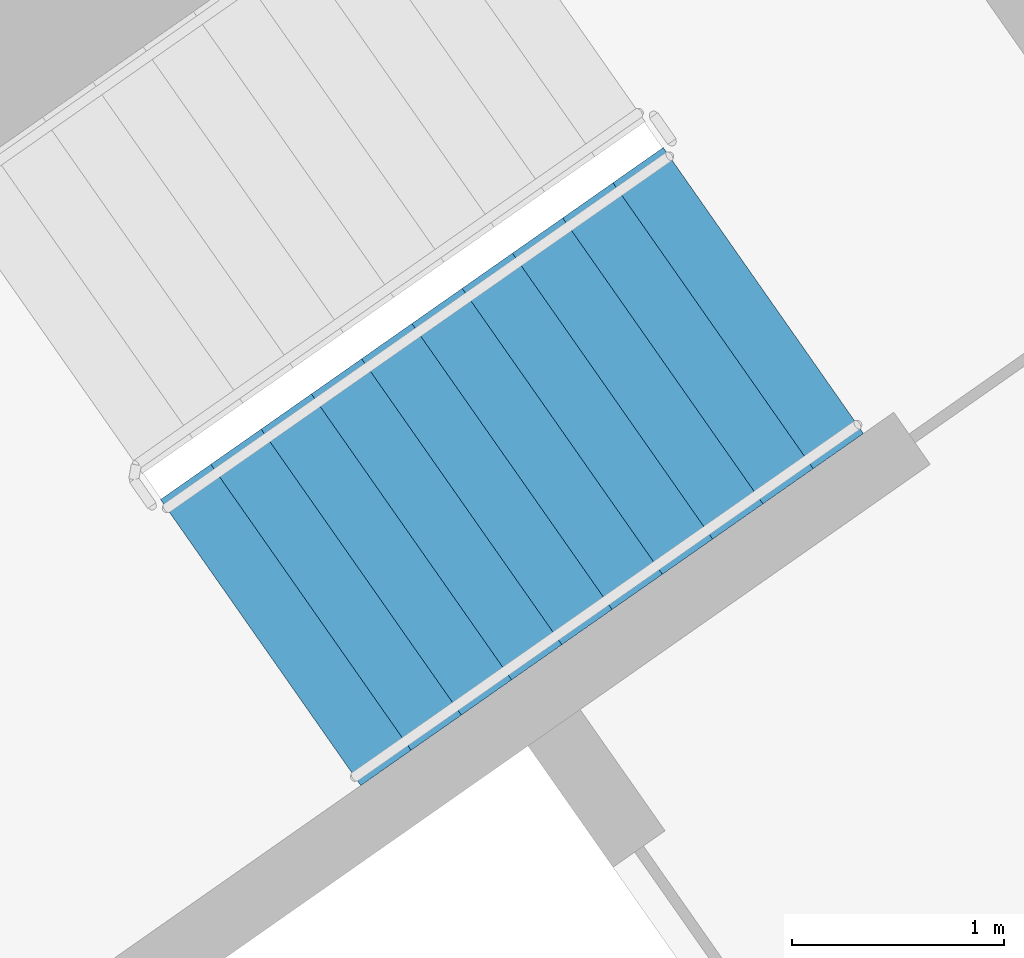
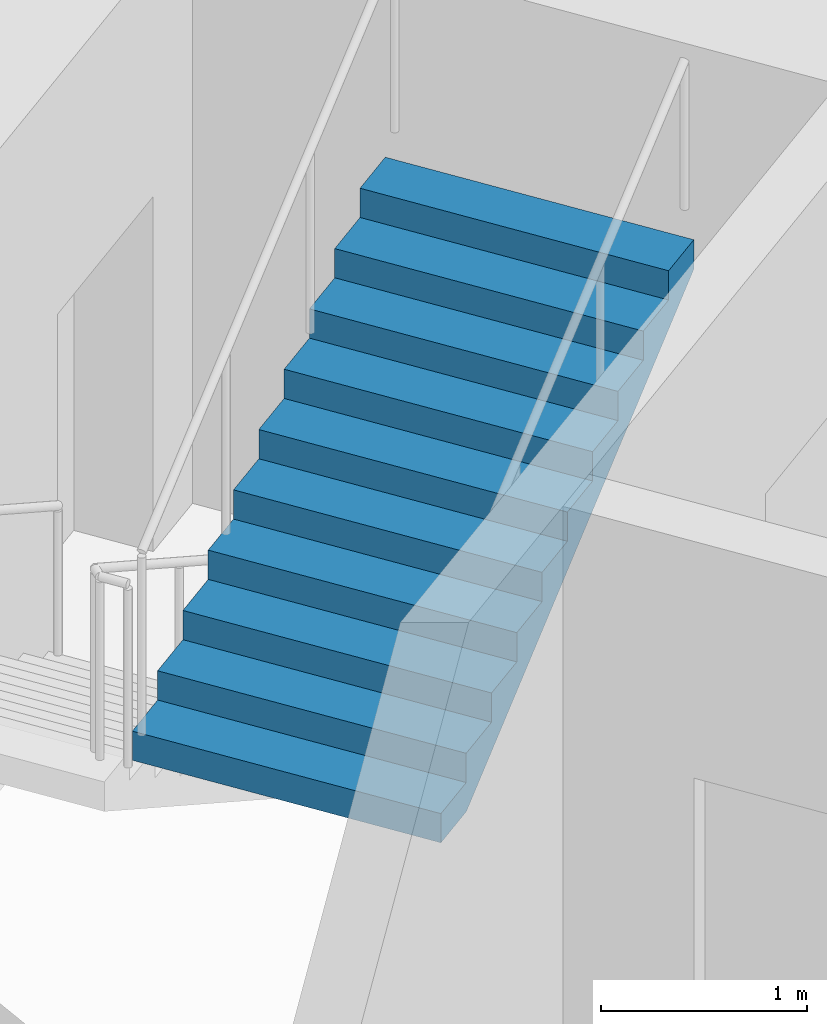
# One storey, part 14 of 29: 1 stair flight, 1 element without a shape of its own.
"""IFC4 building model written with IfcOpenShell, lengths in metres."""

from ifc_helpers import new_model, si_unit, direction, frame, origin, place, context, subcontext, project, spatial, faceted_brep, material, type_object, element, aggregate, save


model = new_model("IFC4")

# Units and contexts
model_context = context("Model", 3, precision=1e-05, world=origin(), true_north=direction((0.0, 1.0)))
body_context = subcontext(model_context, "Body", "Model", "MODEL_VIEW")
ifc_project = project(units=[si_unit("LENGTHUNIT", "METRE"), si_unit("AREAUNIT", "SQUARE_METRE"), si_unit("VOLUMEUNIT", "CUBIC_METRE"), si_unit("PLANEANGLEUNIT", "RADIAN"), si_unit("MASSUNIT", "GRAM", prefix="KILO")], contexts=[model_context])

# Site, building, storey
site_placement = place(None, origin())
site = spatial("IfcSite", under=ifc_project, at=site_placement, CompositionType="ELEMENT")
building_placement = place(site_placement, origin())
building = spatial("IfcBuilding", under=site, at=building_placement, Name="Qamariyya Broadcast Tower", CompositionType="ELEMENT")
storey_placement = place(building_placement, frame((0.0, 0.0, 113.89990234375)))
storey = spatial("IfcBuildingStorey", under=building, at=storey_placement, Name="L25", CompositionType="ELEMENT", Elevation=113.89990234375)

# Stair, stair flight
ifc_material = material(Name="Concrete C50/60", Category="concrete")
stair_type = type_object("IfcStairType", Name="Exit stair 22 risers of 173 mm", PredefinedType="HALF_TURN_STAIR", material=ifc_material)
stair_placement = place(storey_placement, origin())
stair = element("IfcStair", 1, at=stair_placement, inside=storey, type_object=stair_type, Name="L25 Stair E2", PredefinedType="HALF_TURN_STAIR")
stair_flight_type = type_object("IfcStairFlightType", Name="Exit stair flight 11 risers of 173 mm", PredefinedType="STRAIGHT", material=ifc_material)
stair_flight_placement = place(storey_placement, frame((39.215576171875, -50.822998046875, 1.900146484375), z_axis=(0.0, 0.0, 1.0), x_axis=(0.819152044289, 0.573576436351, 0.0)))
stair_flight = element("IfcStairFlight", 2, at=stair_flight_placement, type_object=stair_flight_type, Name="ST-E2 flight 2", NumberOfRisers=11, NumberOfTreads=10, PredefinedType="STRAIGHT", RiserHeight=0.172727273, TreadLength=0.29, context=body_context, shape_type="Brep", body=[
    faceted_brep([(0.0, 0.824951171875, 0.0), (0.0, 0.824951171875, 0.172607421875), (0.2900390625, 0.824951171875, 0.172607421875), (0.2900390625, 0.824951171875, 0.345458984375), (0.580078125, 0.824951171875, 0.345458984375), (0.580078125, 0.824951171875, 0.51806640625), (0.8701171875, 0.824951171875, 0.51806640625), (0.8701171875, 0.824951171875, 0.69091796875), (1.159912109375, 0.824951171875, 0.69091796875), (1.159912109375, 0.824951171875, 0.863525390625), (1.449951171875, 0.824951171875, 0.863525390625), (1.449951171875, 0.824951171875, 1.036376953125), (1.739990234375, 0.824951171875, 1.036376953125), (1.739990234375, 0.824951171875, 1.208984375), (2.030029296875, 0.824951171875, 1.208984375), (2.030029296875, 0.824951171875, 1.3818359375), (2.320068359375, 0.824951171875, 1.3818359375), (2.320068359375, 0.824951171875, 1.554443359375), (2.610107421875, 0.824951171875, 1.554443359375), (2.610107421875, 0.824951171875, 1.727294921875), (2.89990234375, 0.824951171875, 1.727294921875), (2.89990234375, 0.824951171875, 1.552734375), (0.29296875, 0.824951171875, 0.0), (0.29296875, -0.824951171875, 0.0), (2.89990234375, -0.824951171875, 1.552734375), (2.89990234375, -0.824951171875, 1.727294921875), (2.610107421875, -0.824951171875, 1.727294921875), (2.610107421875, -0.824951171875, 1.554443359375), (2.320068359375, -0.824951171875, 1.554443359375), (2.320068359375, -0.824951171875, 1.3818359375), (2.030029296875, -0.824951171875, 1.3818359375), (2.030029296875, -0.824951171875, 1.208984375), (1.739990234375, -0.824951171875, 1.208984375), (1.739990234375, -0.824951171875, 1.036376953125), (1.449951171875, -0.824951171875, 1.036376953125), (1.449951171875, -0.824951171875, 0.863525390625), (1.159912109375, -0.824951171875, 0.863525390625), (1.159912109375, -0.824951171875, 0.69091796875), (0.8701171875, -0.824951171875, 0.69091796875), (0.8701171875, -0.824951171875, 0.51806640625), (0.580078125, -0.824951171875, 0.51806640625), (0.580078125, -0.824951171875, 0.345458984375), (0.2900390625, -0.824951171875, 0.345458984375), (0.2900390625, -0.824951171875, 0.172607421875), (0.0, -0.824951171875, 0.172607421875), (0.0, -0.824951171875, 0.0), (0.0, 0.10009765625, 0.0), (0.0, 0.086669921875, 0.0), (0.0, 0.0732421875, 0.0), (0.0, 0.06005859375, 0.0), (0.0, 0.046630859375, 0.0), (0.0, 0.033447265625, 0.0), (0.0, 0.02001953125, 0.0), (0.0, 0.006591796875, 0.0), (0.0, -0.006591796875, 0.0), (0.0, -0.02001953125, 0.0), (0.0, -0.033447265625, 0.0), (0.0, -0.046630859375, 0.0), (0.0, -0.06005859375, 0.0), (0.0, -0.0732421875, 0.0), (0.0, -0.086669921875, 0.0), (0.0, -0.10009765625, 0.0), (0.0, -0.10009765625, 0.172607421875), (0.0, -0.086669921875, 0.172607421875), (0.0, -0.0732421875, 0.172607421875), (0.0, -0.06005859375, 0.172607421875), (0.0, -0.046630859375, 0.172607421875), (0.0, -0.033447265625, 0.172607421875), (0.0, -0.02001953125, 0.172607421875), (0.0, -0.006591796875, 0.172607421875), (0.0, 0.006591796875, 0.172607421875), (0.0, 0.02001953125, 0.172607421875), (0.0, 0.033447265625, 0.172607421875), (0.0, 0.046630859375, 0.172607421875), (0.0, 0.06005859375, 0.172607421875), (0.0, 0.0732421875, 0.172607421875), (0.0, 0.086669921875, 0.172607421875), (0.0, 0.10009765625, 0.172607421875), (0.2900390625, -0.10009765625, 0.172607421875), (0.2900390625, -0.086669921875, 0.172607421875), (0.2900390625, -0.0732421875, 0.172607421875), (0.2900390625, -0.06005859375, 0.172607421875), (0.2900390625, -0.046630859375, 0.172607421875), (0.2900390625, -0.033447265625, 0.172607421875), (0.2900390625, -0.02001953125, 0.172607421875), (0.2900390625, -0.006591796875, 0.172607421875), (0.2900390625, 0.006591796875, 0.172607421875), (0.2900390625, 0.02001953125, 0.172607421875), (0.2900390625, 0.033447265625, 0.172607421875), (0.2900390625, 0.046630859375, 0.172607421875), (0.2900390625, 0.06005859375, 0.172607421875), (0.2900390625, 0.0732421875, 0.172607421875), (0.2900390625, 0.086669921875, 0.172607421875), (0.2900390625, 0.10009765625, 0.172607421875), (0.2900390625, -0.10009765625, 0.345458984375), (0.2900390625, -0.086669921875, 0.345458984375), (0.2900390625, -0.0732421875, 0.345458984375), (0.2900390625, -0.06005859375, 0.345458984375), (0.2900390625, -0.046630859375, 0.345458984375), (0.2900390625, -0.033447265625, 0.345458984375), (0.2900390625, -0.02001953125, 0.345458984375), (0.2900390625, -0.006591796875, 0.345458984375), (0.2900390625, 0.006591796875, 0.345458984375), (0.2900390625, 0.02001953125, 0.345458984375), (0.2900390625, 0.033447265625, 0.345458984375), (0.2900390625, 0.046630859375, 0.345458984375), (0.2900390625, 0.06005859375, 0.345458984375), (0.2900390625, 0.0732421875, 0.345458984375), (0.2900390625, 0.086669921875, 0.345458984375), (0.2900390625, 0.10009765625, 0.345458984375), (0.580078125, -0.10009765625, 0.345458984375), (0.580078125, -0.086669921875, 0.345458984375), (0.580078125, -0.0732421875, 0.345458984375), (0.580078125, -0.06005859375, 0.345458984375), (0.580078125, -0.046630859375, 0.345458984375), (0.580078125, -0.033447265625, 0.345458984375), (0.580078125, -0.02001953125, 0.345458984375), (0.580078125, -0.006591796875, 0.345458984375), (0.580078125, 0.006591796875, 0.345458984375), (0.580078125, 0.02001953125, 0.345458984375), (0.580078125, 0.033447265625, 0.345458984375), (0.580078125, 0.046630859375, 0.345458984375), (0.580078125, 0.06005859375, 0.345458984375), (0.580078125, 0.0732421875, 0.345458984375), (0.580078125, 0.086669921875, 0.345458984375), (0.580078125, 0.10009765625, 0.345458984375), (0.580078125, -0.10009765625, 0.51806640625), (0.580078125, -0.086669921875, 0.51806640625), (0.580078125, -0.0732421875, 0.51806640625), (0.580078125, -0.06005859375, 0.51806640625), (0.580078125, -0.046630859375, 0.51806640625), (0.580078125, -0.033447265625, 0.51806640625), (0.580078125, -0.02001953125, 0.51806640625), (0.580078125, -0.006591796875, 0.51806640625), (0.580078125, 0.006591796875, 0.51806640625), (0.580078125, 0.02001953125, 0.51806640625), (0.580078125, 0.033447265625, 0.51806640625), (0.580078125, 0.046630859375, 0.51806640625), (0.580078125, 0.06005859375, 0.51806640625), (0.580078125, 0.0732421875, 0.51806640625), (0.580078125, 0.086669921875, 0.51806640625), (0.580078125, 0.10009765625, 0.51806640625), (0.8701171875, -0.10009765625, 0.51806640625), (0.8701171875, -0.086669921875, 0.51806640625), (0.8701171875, -0.0732421875, 0.51806640625), (0.8701171875, -0.06005859375, 0.51806640625), (0.8701171875, -0.046630859375, 0.51806640625), (0.8701171875, -0.033447265625, 0.51806640625), (0.8701171875, -0.02001953125, 0.51806640625), (0.8701171875, -0.006591796875, 0.51806640625), (0.8701171875, 0.006591796875, 0.51806640625), (0.8701171875, 0.02001953125, 0.51806640625), (0.8701171875, 0.033447265625, 0.51806640625), (0.8701171875, 0.046630859375, 0.51806640625), (0.8701171875, 0.06005859375, 0.51806640625), (0.8701171875, 0.0732421875, 0.51806640625), (0.8701171875, 0.086669921875, 0.51806640625), (0.8701171875, 0.10009765625, 0.51806640625), (0.8701171875, -0.10009765625, 0.69091796875), (0.8701171875, -0.086669921875, 0.69091796875), (0.8701171875, -0.0732421875, 0.69091796875), (0.8701171875, -0.06005859375, 0.69091796875), (0.8701171875, -0.046630859375, 0.69091796875), (0.8701171875, -0.033447265625, 0.69091796875), (0.8701171875, -0.02001953125, 0.69091796875), (0.8701171875, -0.006591796875, 0.69091796875), (0.8701171875, 0.006591796875, 0.69091796875), (0.8701171875, 0.02001953125, 0.69091796875), (0.8701171875, 0.033447265625, 0.69091796875), (0.8701171875, 0.046630859375, 0.69091796875), (0.8701171875, 0.06005859375, 0.69091796875), (0.8701171875, 0.0732421875, 0.69091796875), (0.8701171875, 0.086669921875, 0.69091796875), (0.8701171875, 0.10009765625, 0.69091796875), (1.159912109375, -0.10009765625, 0.69091796875), (1.159912109375, -0.086669921875, 0.69091796875), (1.159912109375, -0.0732421875, 0.69091796875), (1.159912109375, -0.06005859375, 0.69091796875), (1.159912109375, -0.046630859375, 0.69091796875), (1.159912109375, -0.033447265625, 0.69091796875), (1.159912109375, -0.02001953125, 0.69091796875), (1.159912109375, -0.006591796875, 0.69091796875), (1.159912109375, 0.006591796875, 0.69091796875), (1.159912109375, 0.02001953125, 0.69091796875), (1.159912109375, 0.033447265625, 0.69091796875), (1.159912109375, 0.046630859375, 0.69091796875), (1.159912109375, 0.06005859375, 0.69091796875), (1.159912109375, 0.0732421875, 0.69091796875), (1.159912109375, 0.086669921875, 0.69091796875), (1.159912109375, 0.10009765625, 0.69091796875), (1.159912109375, -0.10009765625, 0.863525390625), (1.159912109375, -0.086669921875, 0.863525390625), (1.159912109375, -0.0732421875, 0.863525390625), (1.159912109375, -0.06005859375, 0.863525390625), (1.159912109375, -0.046630859375, 0.863525390625), (1.159912109375, -0.033447265625, 0.863525390625), (1.159912109375, -0.02001953125, 0.863525390625), (1.159912109375, -0.006591796875, 0.863525390625), (1.159912109375, 0.006591796875, 0.863525390625), (1.159912109375, 0.02001953125, 0.863525390625), (1.159912109375, 0.033447265625, 0.863525390625), (1.159912109375, 0.046630859375, 0.863525390625), (1.159912109375, 0.06005859375, 0.863525390625), (1.159912109375, 0.0732421875, 0.863525390625), (1.159912109375, 0.086669921875, 0.863525390625), (1.159912109375, 0.10009765625, 0.863525390625), (1.449951171875, -0.10009765625, 0.863525390625), (1.449951171875, -0.086669921875, 0.863525390625), (1.449951171875, -0.0732421875, 0.863525390625), (1.449951171875, -0.06005859375, 0.863525390625), (1.449951171875, -0.046630859375, 0.863525390625), (1.449951171875, -0.033447265625, 0.863525390625), (1.449951171875, -0.02001953125, 0.863525390625), (1.449951171875, -0.006591796875, 0.863525390625), (1.449951171875, 0.006591796875, 0.863525390625), (1.449951171875, 0.02001953125, 0.863525390625), (1.449951171875, 0.033447265625, 0.863525390625), (1.449951171875, 0.046630859375, 0.863525390625), (1.449951171875, 0.06005859375, 0.863525390625), (1.449951171875, 0.0732421875, 0.863525390625), (1.449951171875, 0.086669921875, 0.863525390625), (1.449951171875, 0.10009765625, 0.863525390625), (1.449951171875, -0.10009765625, 1.036376953125), (1.449951171875, -0.086669921875, 1.036376953125), (1.449951171875, -0.0732421875, 1.036376953125), (1.449951171875, -0.06005859375, 1.036376953125), (1.449951171875, -0.046630859375, 1.036376953125), (1.449951171875, -0.033447265625, 1.036376953125), (1.449951171875, -0.02001953125, 1.036376953125), (1.449951171875, -0.006591796875, 1.036376953125), (1.449951171875, 0.006591796875, 1.036376953125), (1.449951171875, 0.02001953125, 1.036376953125), (1.449951171875, 0.033447265625, 1.036376953125), (1.449951171875, 0.046630859375, 1.036376953125), (1.449951171875, 0.06005859375, 1.036376953125), (1.449951171875, 0.0732421875, 1.036376953125), (1.449951171875, 0.086669921875, 1.036376953125), (1.449951171875, 0.10009765625, 1.036376953125), (1.739990234375, -0.10009765625, 1.036376953125), (1.739990234375, -0.086669921875, 1.036376953125), (1.739990234375, -0.0732421875, 1.036376953125), (1.739990234375, -0.06005859375, 1.036376953125), (1.739990234375, -0.046630859375, 1.036376953125), (1.739990234375, -0.033447265625, 1.036376953125), (1.739990234375, -0.02001953125, 1.036376953125), (1.739990234375, -0.006591796875, 1.036376953125), (1.739990234375, 0.006591796875, 1.036376953125), (1.739990234375, 0.02001953125, 1.036376953125), (1.739990234375, 0.033447265625, 1.036376953125), (1.739990234375, 0.046630859375, 1.036376953125), (1.739990234375, 0.06005859375, 1.036376953125), (1.739990234375, 0.0732421875, 1.036376953125), (1.739990234375, 0.086669921875, 1.036376953125), (1.739990234375, 0.10009765625, 1.036376953125), (1.739990234375, -0.10009765625, 1.208984375), (1.739990234375, -0.086669921875, 1.208984375), (1.739990234375, -0.0732421875, 1.208984375), (1.739990234375, -0.06005859375, 1.208984375), (1.739990234375, -0.046630859375, 1.208984375), (1.739990234375, -0.033447265625, 1.208984375), (1.739990234375, -0.02001953125, 1.208984375), (1.739990234375, -0.006591796875, 1.208984375), (1.739990234375, 0.006591796875, 1.208984375), (1.739990234375, 0.02001953125, 1.208984375), (1.739990234375, 0.033447265625, 1.208984375), (1.739990234375, 0.046630859375, 1.208984375), (1.739990234375, 0.06005859375, 1.208984375), (1.739990234375, 0.0732421875, 1.208984375), (1.739990234375, 0.086669921875, 1.208984375), (1.739990234375, 0.10009765625, 1.208984375), (2.030029296875, -0.10009765625, 1.208984375), (2.030029296875, -0.086669921875, 1.208984375), (2.030029296875, -0.0732421875, 1.208984375), (2.030029296875, -0.06005859375, 1.208984375), (2.030029296875, -0.046630859375, 1.208984375), (2.030029296875, -0.033447265625, 1.208984375), (2.030029296875, -0.02001953125, 1.208984375), (2.030029296875, -0.006591796875, 1.208984375), (2.030029296875, 0.006591796875, 1.208984375), (2.030029296875, 0.02001953125, 1.208984375), (2.030029296875, 0.033447265625, 1.208984375), (2.030029296875, 0.046630859375, 1.208984375), (2.030029296875, 0.06005859375, 1.208984375), (2.030029296875, 0.0732421875, 1.208984375), (2.030029296875, 0.086669921875, 1.208984375), (2.030029296875, 0.10009765625, 1.208984375), (2.030029296875, -0.10009765625, 1.3818359375), (2.030029296875, -0.086669921875, 1.3818359375), (2.030029296875, -0.0732421875, 1.3818359375), (2.030029296875, -0.06005859375, 1.3818359375), (2.030029296875, -0.046630859375, 1.3818359375), (2.030029296875, -0.033447265625, 1.3818359375), (2.030029296875, -0.02001953125, 1.3818359375), (2.030029296875, -0.006591796875, 1.3818359375), (2.030029296875, 0.006591796875, 1.3818359375), (2.030029296875, 0.02001953125, 1.3818359375), (2.030029296875, 0.033447265625, 1.3818359375), (2.030029296875, 0.046630859375, 1.3818359375), (2.030029296875, 0.06005859375, 1.3818359375), (2.030029296875, 0.0732421875, 1.3818359375), (2.030029296875, 0.086669921875, 1.3818359375), (2.030029296875, 0.10009765625, 1.3818359375), (2.320068359375, -0.10009765625, 1.3818359375), (2.320068359375, -0.086669921875, 1.3818359375), (2.320068359375, -0.0732421875, 1.3818359375), (2.320068359375, -0.06005859375, 1.3818359375), (2.320068359375, -0.046630859375, 1.3818359375), (2.320068359375, -0.033447265625, 1.3818359375), (2.320068359375, -0.02001953125, 1.3818359375), (2.320068359375, -0.006591796875, 1.3818359375), (2.320068359375, 0.006591796875, 1.3818359375), (2.320068359375, 0.02001953125, 1.3818359375), (2.320068359375, 0.033447265625, 1.3818359375), (2.320068359375, 0.046630859375, 1.3818359375), (2.320068359375, 0.06005859375, 1.3818359375), (2.320068359375, 0.0732421875, 1.3818359375), (2.320068359375, 0.086669921875, 1.3818359375), (2.320068359375, 0.10009765625, 1.3818359375), (2.320068359375, -0.10009765625, 1.554443359375), (2.320068359375, -0.086669921875, 1.554443359375), (2.320068359375, -0.0732421875, 1.554443359375), (2.320068359375, -0.06005859375, 1.554443359375), (2.320068359375, -0.046630859375, 1.554443359375), (2.320068359375, -0.033447265625, 1.554443359375), (2.320068359375, -0.02001953125, 1.554443359375), (2.320068359375, -0.006591796875, 1.554443359375), (2.320068359375, 0.006591796875, 1.554443359375), (2.320068359375, 0.02001953125, 1.554443359375), (2.320068359375, 0.033447265625, 1.554443359375), (2.320068359375, 0.046630859375, 1.554443359375), (2.320068359375, 0.06005859375, 1.554443359375), (2.320068359375, 0.0732421875, 1.554443359375), (2.320068359375, 0.086669921875, 1.554443359375), (2.320068359375, 0.10009765625, 1.554443359375), (2.610107421875, -0.10009765625, 1.554443359375), (2.610107421875, -0.086669921875, 1.554443359375), (2.610107421875, -0.0732421875, 1.554443359375), (2.610107421875, -0.06005859375, 1.554443359375), (2.610107421875, -0.046630859375, 1.554443359375), (2.610107421875, -0.033447265625, 1.554443359375), (2.610107421875, -0.02001953125, 1.554443359375), (2.610107421875, -0.006591796875, 1.554443359375), (2.610107421875, 0.006591796875, 1.554443359375), (2.610107421875, 0.02001953125, 1.554443359375), (2.610107421875, 0.033447265625, 1.554443359375), (2.610107421875, 0.046630859375, 1.554443359375), (2.610107421875, 0.06005859375, 1.554443359375), (2.610107421875, 0.0732421875, 1.554443359375), (2.610107421875, 0.086669921875, 1.554443359375), (2.610107421875, 0.10009765625, 1.554443359375), (2.610107421875, -0.10009765625, 1.727294921875), (2.610107421875, -0.086669921875, 1.727294921875), (2.610107421875, -0.0732421875, 1.727294921875), (2.610107421875, -0.06005859375, 1.727294921875), (2.610107421875, -0.046630859375, 1.727294921875), (2.610107421875, -0.033447265625, 1.727294921875), (2.610107421875, -0.02001953125, 1.727294921875), (2.610107421875, -0.006591796875, 1.727294921875), (2.610107421875, 0.006591796875, 1.727294921875), (2.610107421875, 0.02001953125, 1.727294921875), (2.610107421875, 0.033447265625, 1.727294921875), (2.610107421875, 0.046630859375, 1.727294921875), (2.610107421875, 0.06005859375, 1.727294921875), (2.610107421875, 0.0732421875, 1.727294921875), (2.610107421875, 0.086669921875, 1.727294921875), (2.610107421875, 0.10009765625, 1.727294921875), (2.89990234375, -0.10009765625, 1.727294921875), (2.89990234375, -0.086669921875, 1.727294921875), (2.89990234375, -0.0732421875, 1.727294921875), (2.89990234375, -0.06005859375, 1.727294921875), (2.89990234375, -0.046630859375, 1.727294921875), (2.89990234375, -0.033447265625, 1.727294921875), (2.89990234375, -0.02001953125, 1.727294921875), (2.89990234375, -0.006591796875, 1.727294921875), (2.89990234375, 0.006591796875, 1.727294921875), (2.89990234375, 0.02001953125, 1.727294921875), (2.89990234375, 0.033447265625, 1.727294921875), (2.89990234375, 0.046630859375, 1.727294921875), (2.89990234375, 0.06005859375, 1.727294921875), (2.89990234375, 0.0732421875, 1.727294921875), (2.89990234375, 0.086669921875, 1.727294921875), (2.89990234375, 0.10009765625, 1.727294921875), (2.89990234375, -0.10009765625, 1.552734375), (2.89990234375, -0.086669921875, 1.552734375), (2.89990234375, -0.0732421875, 1.552734375), (2.89990234375, -0.06005859375, 1.552734375), (2.89990234375, -0.046630859375, 1.552734375), (2.89990234375, -0.033447265625, 1.552734375), (2.89990234375, -0.02001953125, 1.552734375), (2.89990234375, -0.006591796875, 1.552734375), (2.89990234375, 0.006591796875, 1.552734375), (2.89990234375, 0.02001953125, 1.552734375), (2.89990234375, 0.033447265625, 1.552734375), (2.89990234375, 0.046630859375, 1.552734375), (2.89990234375, 0.06005859375, 1.552734375), (2.89990234375, 0.0732421875, 1.552734375), (2.89990234375, 0.086669921875, 1.552734375), (2.89990234375, 0.10009765625, 1.552734375), (0.29296875, -0.10009765625, 0.0), (0.29296875, -0.086669921875, 0.0), (0.29296875, -0.0732421875, 0.0), (0.29296875, -0.06005859375, 0.0), (0.29296875, -0.046630859375, 0.0), (0.29296875, -0.033447265625, 0.0), (0.29296875, -0.02001953125, 0.0), (0.29296875, -0.006591796875, 0.0), (0.29296875, 0.006591796875, 0.0), (0.29296875, 0.02001953125, 0.0), (0.29296875, 0.033447265625, 0.0), (0.29296875, 0.046630859375, 0.0), (0.29296875, 0.06005859375, 0.0), (0.29296875, 0.0732421875, 0.0), (0.29296875, 0.086669921875, 0.0), (0.29296875, 0.10009765625, 0.0)], [[[0, 1, 2, 3, 4, 5, 6, 7, 8, 9, 10, 11, 12, 13, 14, 15, 16, 17, 18, 19, 20, 21, 22]], [[23, 24, 25, 26, 27, 28, 29, 30, 31, 32, 33, 34, 35, 36, 37, 38, 39, 40, 41, 42, 43, 44, 45]], [[0, 46, 47, 48, 49, 50, 51, 52, 53, 54, 55, 56, 57, 58, 59, 60, 61, 45, 44, 62, 63, 64, 65, 66, 67, 68, 69, 70, 71, 72, 73, 74, 75, 76, 77, 1]], [[1, 77, 76, 75, 74, 73, 72, 71, 70, 69, 68, 67, 66, 65, 64, 63, 62, 44, 43, 78, 79, 80, 81, 82, 83, 84, 85, 86, 87, 88, 89, 90, 91, 92, 93, 2]], [[2, 93, 92, 91, 90, 89, 88, 87, 86, 85, 84, 83, 82, 81, 80, 79, 78, 43, 42, 94, 95, 96, 97, 98, 99, 100, 101, 102, 103, 104, 105, 106, 107, 108, 109, 3]], [[3, 109, 108, 107, 106, 105, 104, 103, 102, 101, 100, 99, 98, 97, 96, 95, 94, 42, 41, 110, 111, 112, 113, 114, 115, 116, 117, 118, 119, 120, 121, 122, 123, 124, 125, 4]], [[4, 125, 124, 123, 122, 121, 120, 119, 118, 117, 116, 115, 114, 113, 112, 111, 110, 41, 40, 126, 127, 128, 129, 130, 131, 132, 133, 134, 135, 136, 137, 138, 139, 140, 141, 5]], [[5, 141, 140, 139, 138, 137, 136, 135, 134, 133, 132, 131, 130, 129, 128, 127, 126, 40, 39, 142, 143, 144, 145, 146, 147, 148, 149, 150, 151, 152, 153, 154, 155, 156, 157, 6]], [[6, 157, 156, 155, 154, 153, 152, 151, 150, 149, 148, 147, 146, 145, 144, 143, 142, 39, 38, 158, 159, 160, 161, 162, 163, 164, 165, 166, 167, 168, 169, 170, 171, 172, 173, 7]], [[7, 173, 172, 171, 170, 169, 168, 167, 166, 165, 164, 163, 162, 161, 160, 159, 158, 38, 37, 174, 175, 176, 177, 178, 179, 180, 181, 182, 183, 184, 185, 186, 187, 188, 189, 8]], [[8, 189, 188, 187, 186, 185, 184, 183, 182, 181, 180, 179, 178, 177, 176, 175, 174, 37, 36, 190, 191, 192, 193, 194, 195, 196, 197, 198, 199, 200, 201, 202, 203, 204, 205, 9]], [[9, 205, 204, 203, 202, 201, 200, 199, 198, 197, 196, 195, 194, 193, 192, 191, 190, 36, 35, 206, 207, 208, 209, 210, 211, 212, 213, 214, 215, 216, 217, 218, 219, 220, 221, 10]], [[10, 221, 220, 219, 218, 217, 216, 215, 214, 213, 212, 211, 210, 209, 208, 207, 206, 35, 34, 222, 223, 224, 225, 226, 227, 228, 229, 230, 231, 232, 233, 234, 235, 236, 237, 11]], [[11, 237, 236, 235, 234, 233, 232, 231, 230, 229, 228, 227, 226, 225, 224, 223, 222, 34, 33, 238, 239, 240, 241, 242, 243, 244, 245, 246, 247, 248, 249, 250, 251, 252, 253, 12]], [[12, 253, 252, 251, 250, 249, 248, 247, 246, 245, 244, 243, 242, 241, 240, 239, 238, 33, 32, 254, 255, 256, 257, 258, 259, 260, 261, 262, 263, 264, 265, 266, 267, 268, 269, 13]], [[13, 269, 268, 267, 266, 265, 264, 263, 262, 261, 260, 259, 258, 257, 256, 255, 254, 32, 31, 270, 271, 272, 273, 274, 275, 276, 277, 278, 279, 280, 281, 282, 283, 284, 285, 14]], [[14, 285, 284, 283, 282, 281, 280, 279, 278, 277, 276, 275, 274, 273, 272, 271, 270, 31, 30, 286, 287, 288, 289, 290, 291, 292, 293, 294, 295, 296, 297, 298, 299, 300, 301, 15]], [[15, 301, 300, 299, 298, 297, 296, 295, 294, 293, 292, 291, 290, 289, 288, 287, 286, 30, 29, 302, 303, 304, 305, 306, 307, 308, 309, 310, 311, 312, 313, 314, 315, 316, 317, 16]], [[16, 317, 316, 315, 314, 313, 312, 311, 310, 309, 308, 307, 306, 305, 304, 303, 302, 29, 28, 318, 319, 320, 321, 322, 323, 324, 325, 326, 327, 328, 329, 330, 331, 332, 333, 17]], [[17, 333, 332, 331, 330, 329, 328, 327, 326, 325, 324, 323, 322, 321, 320, 319, 318, 28, 27, 334, 335, 336, 337, 338, 339, 340, 341, 342, 343, 344, 345, 346, 347, 348, 349, 18]], [[18, 349, 348, 347, 346, 345, 344, 343, 342, 341, 340, 339, 338, 337, 336, 335, 334, 27, 26, 350, 351, 352, 353, 354, 355, 356, 357, 358, 359, 360, 361, 362, 363, 364, 365, 19]], [[19, 365, 364, 363, 362, 361, 360, 359, 358, 357, 356, 355, 354, 353, 352, 351, 350, 26, 25, 366, 367, 368, 369, 370, 371, 372, 373, 374, 375, 376, 377, 378, 379, 380, 381, 20]], [[20, 381, 380, 379, 378, 377, 376, 375, 374, 373, 372, 371, 370, 369, 368, 367, 366, 25, 24, 382, 383, 384, 385, 386, 387, 388, 389, 390, 391, 392, 393, 394, 395, 396, 397, 21]], [[21, 397, 396, 395, 394, 393, 392, 391, 390, 389, 388, 387, 386, 385, 384, 383, 382, 24, 23, 398, 399, 400, 401, 402, 403, 404, 405, 406, 407, 408, 409, 410, 411, 412, 413, 22]], [[22, 413, 412, 411, 410, 409, 408, 407, 406, 405, 404, 403, 402, 401, 400, 399, 398, 23, 45, 61, 60, 59, 58, 57, 56, 55, 54, 53, 52, 51, 50, 49, 48, 47, 46, 0]]]),
])
aggregate(stair, [stair_flight])

save(model, "model.ifc")
